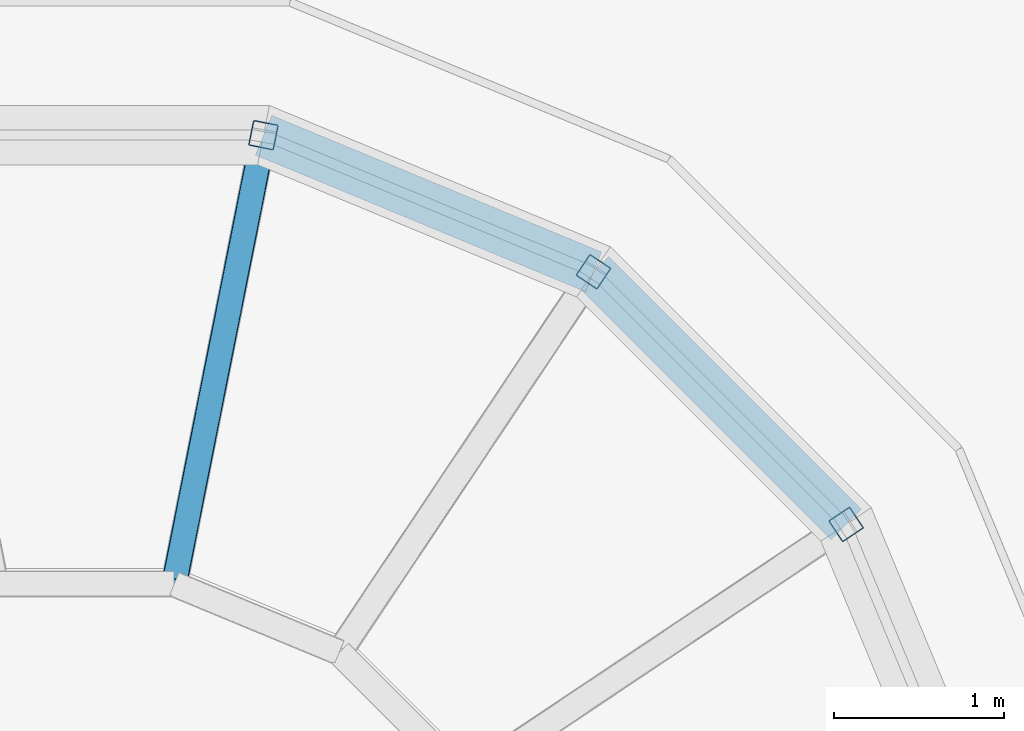
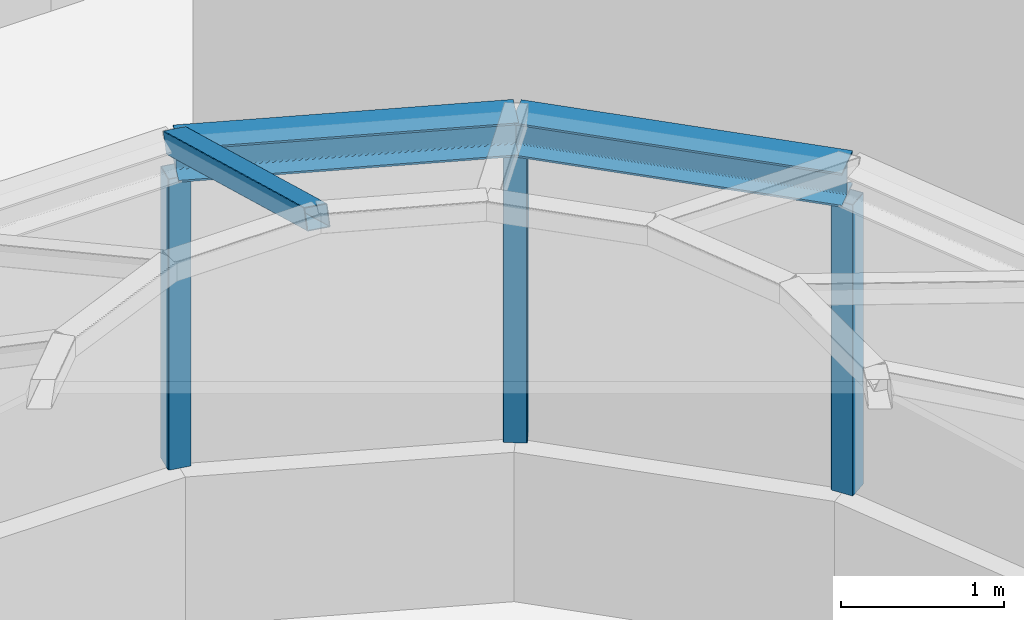
# One storey, part 9 of 32: 6 members, 3 elements without a shape of their own.
"""IFC4 building model written with IfcOpenShell, lengths in metres."""

from ifc_helpers import new_model, si_unit, direction, frame, origin, origin_2d, place, context, subcontext, project, spatial, hollow_rectangle, i_section, extrude, material, layer, layer_set, material_profile, profile_set, type_object, element, aggregate, save


model = new_model("IFC4")

# Units and contexts
model_context = context("Model", 3, precision=1e-05, world=origin(), true_north=direction((0.0, 1.0)))
body_context = subcontext(model_context, "Body", "Model", "MODEL_VIEW")
ifc_project = project(units=[si_unit("LENGTHUNIT", "METRE"), si_unit("AREAUNIT", "SQUARE_METRE"), si_unit("VOLUMEUNIT", "CUBIC_METRE"), si_unit("PLANEANGLEUNIT", "RADIAN"), si_unit("MASSUNIT", "GRAM", prefix="KILO")], contexts=[model_context])

# Site, building, storey
site_placement = place(None, origin())
site = spatial("IfcSite", under=ifc_project, at=site_placement, CompositionType="ELEMENT")
building_placement = place(site_placement, origin())
building = spatial("IfcBuilding", under=site, at=building_placement, Name="Verdalira Terraces Hotel", CompositionType="ELEMENT")
storey_placement = place(building_placement, frame((0.0, 0.0, 315.0)))
storey = spatial("IfcBuildingStorey", under=building, at=storey_placement, Name="L78", CompositionType="ELEMENT", Elevation=315.0)

# Curtain wall, member
ifc_material_1 = material(Name="Clear laminated glass", Category="glass")
ifc_layer = layer(ifc_material_1, 0.14990234375)
ifc_layer_set = layer_set([ifc_layer], Name="Atrium lantern curtain wall")
curtain_wall_type = type_object("IfcCurtainWallType", Name="Atrium lantern curtain wall", PredefinedType="NOTDEFINED", material=ifc_layer_set)
curtain_wall_1_placement = place(storey_placement, origin())
curtain_wall_1 = element("IfcCurtainWall", 1, at=curtain_wall_1_placement, inside=storey, type_object=curtain_wall_type, Name="Atrium lantern curtain wall facet 2", PredefinedType="NOTDEFINED")
ifc_material_2 = material(Name="Steel ASTM A992 Grade 50", Category="steel")
ifc_material_profile_1 = material_profile(ifc_material_2, i_section(OverallWidth=0.253906, OverallDepth=0.253906, WebThickness=0.008545, FlangeThickness=0.01416, FilletRadius=0.012695, at=origin_2d()), Name="W10X49")
ifc_profile_set_1 = profile_set([ifc_material_profile_1], Name="Steel ASTM A992 Grade 50")
member_type_1 = type_object("IfcMemberType", Name="Lantern head transom W10X49", PredefinedType="USERDEFINED", material=ifc_profile_set_1)
member_1_placement = place(storey_placement, frame((4.48999, 3.0, 3.427002), z_axis=(-0.707106781, 0.707106781, 0.0), x_axis=(-0.707106781, -0.707106781, 0.0)))
member_1 = element("IfcMember", 2, at=member_1_placement, type_object=member_type_1, Name="Lantern head transom LR02", ObjectType="TRANSOM", PredefinedType="USERDEFINED", context=body_context, shape_type="SweptSolid", body=[
    extrude(i_section(OverallWidth=0.253906, OverallDepth=0.253906, WebThickness=0.008545, FlangeThickness=0.01416, FilletRadius=0.012695, at=origin_2d()), origin(), (0.0, 0.0, 1.0), 2.107178),
])

curtain_wall_2_placement = place(storey_placement, origin())
curtain_wall_2 = element("IfcCurtainWall", 3, at=curtain_wall_2_placement, inside=storey, type_object=curtain_wall_type, Name="Atrium lantern curtain wall facet 3", PredefinedType="NOTDEFINED")
member_2_placement = place(storey_placement, frame((3.0, 4.48999, 3.427002), z_axis=(-0.923901029, 0.382631531, 0.0), x_axis=(-0.382631531, -0.923901029, 0.0)))
member_2 = element("IfcMember", 4, at=member_2_placement, type_object=member_type_1, Name="Lantern head transom LR03", ObjectType="TRANSOM", PredefinedType="USERDEFINED", context=body_context, shape_type="SweptSolid", body=[
    extrude(i_section(OverallWidth=0.253906, OverallDepth=0.253906, WebThickness=0.008545, FlangeThickness=0.01416, FilletRadius=0.012695, at=origin_2d()), origin(), (0.0, 0.0, 1.0), 2.106934),
])

curtain_wall_3_placement = place(storey_placement, origin())
curtain_wall_3 = element("IfcCurtainWall", 5, at=curtain_wall_3_placement, inside=storey, type_object=curtain_wall_type, Name="Atrium lantern curtain wall facet 4", PredefinedType="NOTDEFINED")
ifc_material_3 = material(Name="Steel ASTM A500 Grade C", Category="steel")
ifc_material_profile_2 = material_profile(ifc_material_3, hollow_rectangle(XDim=0.15234375, YDim=0.15234375, WallThickness=0.005859375, InnerFilletRadius=0.0029296875, OuterFilletRadius=0.0087890625, at=origin_2d()), Name="HSS6X6X1/4")
ifc_profile_set_2 = profile_set([ifc_material_profile_2], Name="Steel ASTM A500 Grade C")
member_type_2 = type_object("IfcMemberType", Name="Lantern hip bar HSS6X6X1/4", PredefinedType="USERDEFINED", material=ifc_profile_set_2)
member_3_placement = place(storey_placement, frame((1.051514, 5.2854, 3.531494), z_axis=(-0.178046211, -0.894537287, 0.410003158), x_axis=(0.980761844, -0.195208106, 0.0)))
member_3 = element("IfcMember", 6, at=member_3_placement, type_object=member_type_2, Name="Lantern hip bar LH04", ObjectType="GLAZING BAR", PredefinedType="USERDEFINED", context=body_context, shape_type="SweptSolid", body=[
    extrude(hollow_rectangle(XDim=0.15234375, YDim=0.15234375, WallThickness=0.005859375, InnerFilletRadius=0.0029296875, OuterFilletRadius=0.0087890625, at=origin_2d()), origin(), (0.0, 0.0, 1.0), 2.948242),
])

# Member
ifc_material_4 = material(Name="Steel ASTM A500 Grade C", Category="steel")
ifc_material_profile_3 = material_profile(ifc_material_4, hollow_rectangle(XDim=0.15234375, YDim=0.15234375, WallThickness=0.005859375, InnerFilletRadius=0.0029296875, OuterFilletRadius=0.0087890625, at=origin_2d()), Name="HSS6X6X1/4")
ifc_profile_set_3 = profile_set([ifc_material_profile_3], Name="Steel ASTM A500 Grade C")
member_type_3 = type_object("IfcMemberType", Name="Lantern mullion HSS6X6X1/4", PredefinedType="MULLION", material=ifc_profile_set_3)
member_4_placement = place(storey_placement, frame((4.48999, 3.0, 1.119385), z_axis=(0.0, 0.0, 1.0), x_axis=(0.831469612, 0.555570233, 0.0)))
member_4 = element("IfcMember", 7, at=member_4_placement, type_object=member_type_3, Name="Lantern mullion LM02", PredefinedType="MULLION", context=body_context, shape_type="SweptSolid", body=[
    extrude(hollow_rectangle(XDim=0.15234375, YDim=0.15234375, WallThickness=0.005859375, InnerFilletRadius=0.0029296875, OuterFilletRadius=0.0087890625, at=origin_2d()), origin(), (0.0, 0.0, 1.0), 2.181152),
])

aggregate(curtain_wall_1, [member_4, member_1])

member_5_placement = place(storey_placement, frame((3.0, 4.48999, 1.119385), z_axis=(0.0, 0.0, 1.0), x_axis=(0.555570233, 0.831469612, 0.0)))
member_5 = element("IfcMember", 8, at=member_5_placement, type_object=member_type_3, Name="Lantern mullion LM03", PredefinedType="MULLION", context=body_context, shape_type="SweptSolid", body=[
    extrude(hollow_rectangle(XDim=0.15234375, YDim=0.15234375, WallThickness=0.005859375, InnerFilletRadius=0.0029296875, OuterFilletRadius=0.0087890625, at=origin_2d()), origin(), (0.0, 0.0, 1.0), 2.181152),
])

aggregate(curtain_wall_2, [member_5, member_2])

member_6_placement = place(storey_placement, frame((1.053467, 5.296143, 1.119385), z_axis=(0.0, 0.0, 1.0), x_axis=(0.195090322, 0.98078528, 0.0)))
member_6 = element("IfcMember", 9, at=member_6_placement, type_object=member_type_3, Name="Lantern mullion LM04", PredefinedType="MULLION", context=body_context, shape_type="SweptSolid", body=[
    extrude(hollow_rectangle(XDim=0.15234375, YDim=0.15234375, WallThickness=0.005859375, InnerFilletRadius=0.0029296875, OuterFilletRadius=0.0087890625, at=origin_2d()), origin(), (0.0, 0.0, 1.0), 2.181152),
])

aggregate(curtain_wall_3, [member_6, member_3])

save(model, "model.ifc")
